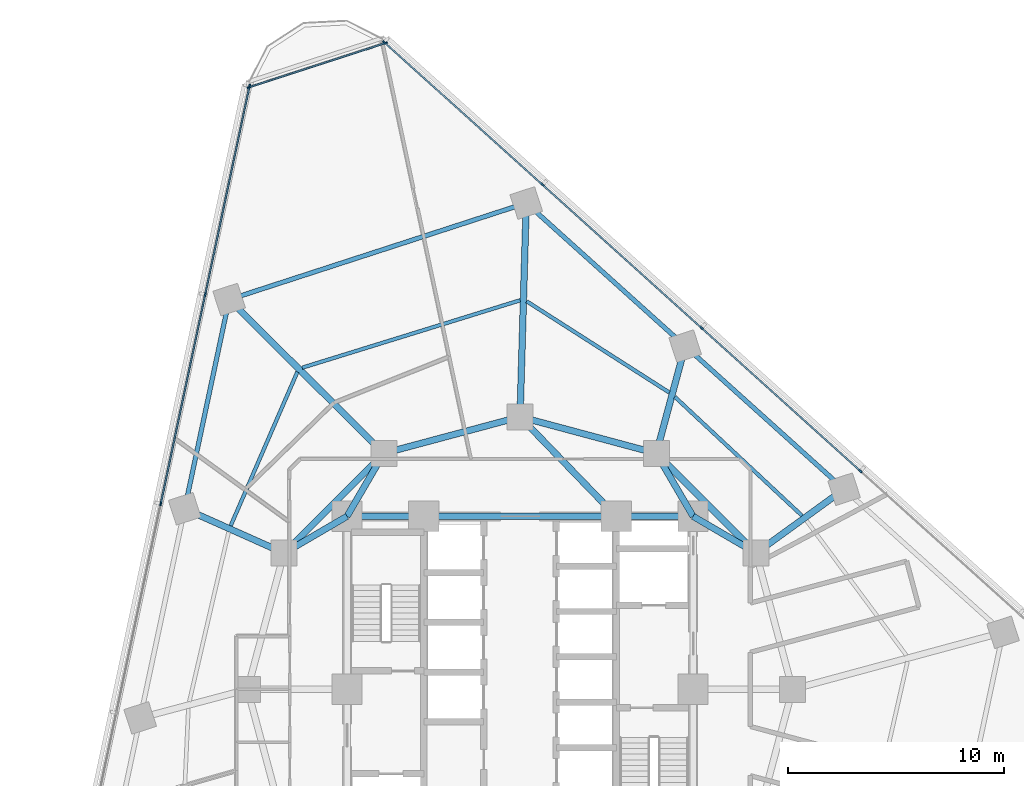
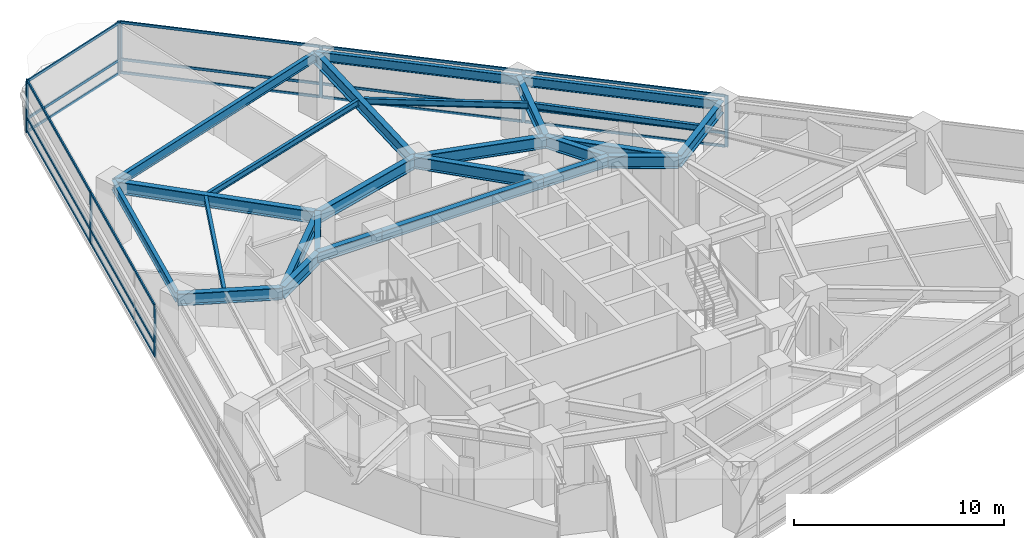
# One storey, part 5 of 13: 27 members, 25 beams, 3 elements without a shape of their own.
"""IFC4 building model written with IfcOpenShell, lengths in metres."""

from ifc_helpers import new_model, si_unit, direction, frame, origin, origin_2d, place, context, subcontext, project, spatial, rectangle, i_section, extrude, material, layer, layer_set, material_profile, profile_set, type_object, element, aggregate, save


model = new_model("IFC4")

# Units and contexts
model_context = context("Model", 3, precision=1e-05, world=origin(), true_north=direction((0.0, 1.0)))
body_context = subcontext(model_context, "Body", "Model", "MODEL_VIEW")
ifc_project = project(units=[si_unit("LENGTHUNIT", "METRE"), si_unit("AREAUNIT", "SQUARE_METRE"), si_unit("VOLUMEUNIT", "CUBIC_METRE"), si_unit("PLANEANGLEUNIT", "RADIAN"), si_unit("MASSUNIT", "GRAM", prefix="KILO")], contexts=[model_context])

# Site, building, storey
site_placement = place(None, origin())
site = spatial("IfcSite", under=ifc_project, at=site_placement, CompositionType="ELEMENT")
building_placement = place(site_placement, origin())
building = spatial("IfcBuilding", under=site, at=building_placement, Name="Terralouvre Media Tower", CompositionType="ELEMENT")
storey_placement = place(building_placement, frame((0.0, 0.0, 90.300048828125)))
storey = spatial("IfcBuildingStorey", under=building, at=storey_placement, Name="L22", CompositionType="ELEMENT", Elevation=90.300048828125)

# Beams
ifc_material_1 = material(Name="Structural steel S355J2", Category="steel")
ifc_material_profile_1 = material_profile(ifc_material_1, i_section(OverallWidth=0.169921875, OverallDepth=0.360107421875, WebThickness=0.008056640625, FlangeThickness=0.0126953125, at=origin_2d()), Name="IPE 360")
ifc_profile_set_1 = profile_set([ifc_material_profile_1], Name="Structural steel S355J2")
beam_type_1 = type_object("IfcBeamType", Name="Composite Floor Joist J-IPE360 (IPE 360)", PredefinedType="JOIST", material=ifc_profile_set_1)
beam_1_placement = place(storey_placement, frame((13.041259765625, 8.02685546875, 3.320068359375), z_axis=(-0.730741620607, 0.682654146631, 0.0), x_axis=(-0.682654146631, -0.730741620607, 0.0)))
element("IfcBeam", 1, at=beam_1_placement, inside=storey, type_object=beam_type_1, Name="L22 Framing Beam JT-L22-08", PredefinedType="JOIST", context=body_context, shape_type="SweptSolid", body=[
    extrude(i_section(OverallWidth=0.169921875, OverallDepth=0.360107421875, WebThickness=0.008056640625, FlangeThickness=0.0126953125, at=origin_2d()), origin(), (0.0, 0.0, 1.0), 8.05224609375),
])
beam_2_placement = place(storey_placement, frame((6.90380859375, 13.721923828125, 3.320068359375), z_axis=(-0.842395313358, 0.538860033805, 0.0), x_axis=(-0.538860033805, -0.842395313358, 0.0)))
element("IfcBeam", 2, at=beam_2_placement, inside=storey, type_object=beam_type_1, Name="L22 Framing Beam JT-L22-09", PredefinedType="JOIST", context=body_context, shape_type="SweptSolid", body=[
    extrude(i_section(OverallWidth=0.169921875, OverallDepth=0.360107421875, WebThickness=0.008056640625, FlangeThickness=0.0126953125, at=origin_2d()), origin(), (0.0, 0.0, 1.0), 7.8349609375),
])
beam_3_placement = place(storey_placement, frame((0.008544921875, 17.99072265625, 3.320068359375), z_axis=(-0.955322607301, -0.295565079095, 0.0), x_axis=(0.295565079095, -0.955322607301, 0.0)))
element("IfcBeam", 3, at=beam_3_placement, inside=storey, type_object=beam_type_1, Name="L22 Framing Beam JT-L22-10", PredefinedType="JOIST", context=body_context, shape_type="SweptSolid", body=[
    extrude(i_section(OverallWidth=0.169921875, OverallDepth=0.360107421875, WebThickness=0.008056640625, FlangeThickness=0.0126953125, at=origin_2d()), origin(), (0.0, 0.0, 1.0), 10.551513671875),
])
beam_4_placement = place(storey_placement, frame((-10.295166015625, 14.676513671875, 3.320068359375), z_axis=(-0.3977895236, -0.91747669993, 0.0), x_axis=(0.91747669993, -0.3977895236, 0.0)))
element("IfcBeam", 4, at=beam_4_placement, inside=storey, type_object=beam_type_1, Name="L22 Framing Beam JT-L22-11", PredefinedType="JOIST", context=body_context, shape_type="SweptSolid", body=[
    extrude(i_section(OverallWidth=0.169921875, OverallDepth=0.360107421875, WebThickness=0.008056640625, FlangeThickness=0.0126953125, at=origin_2d()), origin(), (0.0, 0.0, 1.0), 7.7509765625),
])

# Curtain wall, members
ifc_material_2 = material(Name="Low-iron laminated double glazing with solar-control coating", Category="glass")
ifc_layer_1 = layer(ifc_material_2, 0.1650390625, Name="Lower Media Tower Unitised Curtain Wall CW-02")
ifc_layer_set_1 = layer_set([ifc_layer_1], Name="Low-iron laminated double glazing with solar-control coating")
curtain_wall_type_1 = type_object("IfcCurtainWallType", Name="Lower Media Tower Unitised Curtain Wall CW-02", PredefinedType="NOTDEFINED", material=ifc_layer_set_1)
curtain_wall_1_placement = place(storey_placement, origin())
curtain_wall_1 = element("IfcCurtainWall", 5, at=curtain_wall_1_placement, inside=storey, type_object=curtain_wall_type_1, Name="L22 Facade Curtain Wall F1", PredefinedType="NOTDEFINED")
ifc_material_3 = material(Name="Anodised extruded aluminium 6063-T6", Category="aluminium")
ifc_material_profile_2 = material_profile(ifc_material_3, rectangle(XDim=0.074951171875, YDim=0.14990234375, at=origin_2d()), Name="ALU 75x150")
ifc_profile_set_2 = profile_set([ifc_material_profile_2], Name="Anodised extruded aluminium 6063-T6")
member_type_1 = type_object("IfcMemberType", Name="Curtain-Wall Horizontal Transom TR-150", PredefinedType="USERDEFINED", material=ifc_profile_set_2)
member_1_placement = place(storey_placement, frame((15.712158203125, 10.117431640625, 0.037353515625), z_axis=(-0.743145676677, 0.669129661005, 0.0), x_axis=(-0.669129661005, -0.743145676677, 0.0)))
member_1 = element("IfcMember", 6, at=member_1_placement, type_object=member_type_1, Name="CW-02 transom 3.1", ObjectType="TRANSOM", PredefinedType="USERDEFINED", context=body_context, shape_type="SweptSolid", body=[
    extrude(rectangle(XDim=0.074951171875, YDim=0.14990234375, at=origin_2d()), origin(), (0.0, 0.0, 1.0), 9.81298828125),
])
member_2_placement = place(storey_placement, frame((15.712158203125, 10.117431640625, 0.800048828125), z_axis=(-0.743145676677, 0.669129661005, 0.0), x_axis=(-0.669129661005, -0.743145676677, 0.0)))
member_2 = element("IfcMember", 7, at=member_2_placement, type_object=member_type_1, Name="CW-02 transom 3.2", ObjectType="TRANSOM", PredefinedType="USERDEFINED", context=body_context, shape_type="SweptSolid", body=[
    extrude(rectangle(XDim=0.074951171875, YDim=0.14990234375, at=origin_2d()), origin(), (0.0, 0.0, 1.0), 9.81298828125),
])
member_3_placement = place(storey_placement, frame((15.712158203125, 10.117431640625, 2.96240234375), z_axis=(-0.743145676677, 0.669129661005, 0.0), x_axis=(-0.669129661005, -0.743145676677, 0.0)))
member_3 = element("IfcMember", 8, at=member_3_placement, type_object=member_type_1, Name="CW-02 transom 3.3", ObjectType="TRANSOM", PredefinedType="USERDEFINED", context=body_context, shape_type="SweptSolid", body=[
    extrude(rectangle(XDim=0.074951171875, YDim=0.14990234375, at=origin_2d()), origin(), (0.0, 0.0, 1.0), 9.81298828125),
])
member_4_placement = place(storey_placement, frame((8.36376953125, 16.733642578125, 0.037353515625), z_axis=(-0.743145676677, 0.669129661005, 0.0), x_axis=(-0.669129661005, -0.743145676677, 0.0)))
member_4 = element("IfcMember", 9, at=member_4_placement, type_object=member_type_1, Name="CW-02 transom 4.1", ObjectType="TRANSOM", PredefinedType="USERDEFINED", context=body_context, shape_type="SweptSolid", body=[
    extrude(rectangle(XDim=0.074951171875, YDim=0.14990234375, at=origin_2d()), origin(), (0.0, 0.0, 1.0), 9.81298828125),
])
member_5_placement = place(storey_placement, frame((8.36376953125, 16.733642578125, 0.800048828125), z_axis=(-0.743145676677, 0.669129661005, 0.0), x_axis=(-0.669129661005, -0.743145676677, 0.0)))
member_5 = element("IfcMember", 10, at=member_5_placement, type_object=member_type_1, Name="CW-02 transom 4.2", ObjectType="TRANSOM", PredefinedType="USERDEFINED", context=body_context, shape_type="SweptSolid", body=[
    extrude(rectangle(XDim=0.074951171875, YDim=0.14990234375, at=origin_2d()), origin(), (0.0, 0.0, 1.0), 9.81298828125),
])
member_6_placement = place(storey_placement, frame((8.36376953125, 16.733642578125, 2.96240234375), z_axis=(-0.743145676677, 0.669129661005, 0.0), x_axis=(-0.669129661005, -0.743145676677, 0.0)))
member_6 = element("IfcMember", 11, at=member_6_placement, type_object=member_type_1, Name="CW-02 transom 4.3", ObjectType="TRANSOM", PredefinedType="USERDEFINED", context=body_context, shape_type="SweptSolid", body=[
    extrude(rectangle(XDim=0.074951171875, YDim=0.14990234375, at=origin_2d()), origin(), (0.0, 0.0, 1.0), 9.81298828125),
])
member_7_placement = place(storey_placement, frame((1.015625, 23.35009765625, 0.037353515625), z_axis=(-0.743150075485, 0.669124775588, 0.0), x_axis=(-0.669124775588, -0.743150075485, 0.0)))
member_7 = element("IfcMember", 12, at=member_7_placement, type_object=member_type_1, Name="CW-02 transom 5.1", ObjectType="TRANSOM", PredefinedType="USERDEFINED", context=body_context, shape_type="SweptSolid", body=[
    extrude(rectangle(XDim=0.074951171875, YDim=0.14990234375, at=origin_2d()), origin(), (0.0, 0.0, 1.0), 9.775390625),
])
member_8_placement = place(storey_placement, frame((1.015625, 23.35009765625, 0.800048828125), z_axis=(-0.743150075485, 0.669124775588, 0.0), x_axis=(-0.669124775588, -0.743150075485, 0.0)))
member_8 = element("IfcMember", 13, at=member_8_placement, type_object=member_type_1, Name="CW-02 transom 5.2", ObjectType="TRANSOM", PredefinedType="USERDEFINED", context=body_context, shape_type="SweptSolid", body=[
    extrude(rectangle(XDim=0.074951171875, YDim=0.14990234375, at=origin_2d()), origin(), (0.0, 0.0, 1.0), 9.775390625),
])
member_9_placement = place(storey_placement, frame((1.015625, 23.35009765625, 2.96240234375), z_axis=(-0.743150075485, 0.669124775588, 0.0), x_axis=(-0.669124775588, -0.743150075485, 0.0)))
member_9 = element("IfcMember", 14, at=member_9_placement, type_object=member_type_1, Name="CW-02 transom 5.3", ObjectType="TRANSOM", PredefinedType="USERDEFINED", context=body_context, shape_type="SweptSolid", body=[
    extrude(rectangle(XDim=0.074951171875, YDim=0.14990234375, at=origin_2d()), origin(), (0.0, 0.0, 1.0), 9.775390625),
])

curtain_wall_2_placement = place(storey_placement, origin())
curtain_wall_2 = element("IfcCurtainWall", 15, at=curtain_wall_2_placement, inside=storey, type_object=curtain_wall_type_1, Name="L22 Facade Curtain Wall F2", PredefinedType="NOTDEFINED")
member_10_placement = place(storey_placement, frame((-12.51416015625, 27.85546875, 0.037353515625), z_axis=(-0.207917001862, -0.978146471821, 0.0), x_axis=(0.978146471821, -0.207917001862, 0.0)))
member_10 = element("IfcMember", 16, at=member_10_placement, type_object=member_type_1, Name="CW-02 transom 1.1", ObjectType="TRANSOM", PredefinedType="USERDEFINED", context=body_context, shape_type="SweptSolid", body=[
    extrude(rectangle(XDim=0.074951171875, YDim=0.14990234375, at=origin_2d()), origin(), (0.0, 0.0, 1.0), 9.775390625),
])
member_11_placement = place(storey_placement, frame((-12.51416015625, 27.85546875, 0.800048828125), z_axis=(-0.207917001862, -0.978146471821, 0.0), x_axis=(0.978146471821, -0.207917001862, 0.0)))
member_11 = element("IfcMember", 17, at=member_11_placement, type_object=member_type_1, Name="CW-02 transom 1.2", ObjectType="TRANSOM", PredefinedType="USERDEFINED", context=body_context, shape_type="SweptSolid", body=[
    extrude(rectangle(XDim=0.074951171875, YDim=0.14990234375, at=origin_2d()), origin(), (0.0, 0.0, 1.0), 9.775390625),
])
member_12_placement = place(storey_placement, frame((-12.51416015625, 27.85546875, 2.96240234375), z_axis=(-0.207917001862, -0.978146471821, 0.0), x_axis=(0.978146471821, -0.207917001862, 0.0)))
member_12 = element("IfcMember", 18, at=member_12_placement, type_object=member_type_1, Name="CW-02 transom 1.3", ObjectType="TRANSOM", PredefinedType="USERDEFINED", context=body_context, shape_type="SweptSolid", body=[
    extrude(rectangle(XDim=0.074951171875, YDim=0.14990234375, at=origin_2d()), origin(), (0.0, 0.0, 1.0), 9.775390625),
])
member_13_placement = place(storey_placement, frame((-14.56201171875, 18.22021484375, 0.037353515625), z_axis=(-0.207919755159, -0.97814588657, 0.0), x_axis=(0.97814588657, -0.207919755159, 0.0)))
member_13 = element("IfcMember", 19, at=member_13_placement, type_object=member_type_1, Name="CW-02 transom 2.1", ObjectType="TRANSOM", PredefinedType="USERDEFINED", context=body_context, shape_type="SweptSolid", body=[
    extrude(rectangle(XDim=0.074951171875, YDim=0.14990234375, at=origin_2d()), origin(), (0.0, 0.0, 1.0), 9.812744140625),
])
member_14_placement = place(storey_placement, frame((-14.56201171875, 18.22021484375, 0.800048828125), z_axis=(-0.207919755159, -0.97814588657, 0.0), x_axis=(0.97814588657, -0.207919755159, 0.0)))
member_14 = element("IfcMember", 20, at=member_14_placement, type_object=member_type_1, Name="CW-02 transom 2.2", ObjectType="TRANSOM", PredefinedType="USERDEFINED", context=body_context, shape_type="SweptSolid", body=[
    extrude(rectangle(XDim=0.074951171875, YDim=0.14990234375, at=origin_2d()), origin(), (0.0, 0.0, 1.0), 9.812744140625),
])
member_15_placement = place(storey_placement, frame((-14.56201171875, 18.22021484375, 2.96240234375), z_axis=(-0.207919755159, -0.97814588657, 0.0), x_axis=(0.97814588657, -0.207919755159, 0.0)))
member_15 = element("IfcMember", 21, at=member_15_placement, type_object=member_type_1, Name="CW-02 transom 2.3", ObjectType="TRANSOM", PredefinedType="USERDEFINED", context=body_context, shape_type="SweptSolid", body=[
    extrude(rectangle(XDim=0.074951171875, YDim=0.14990234375, at=origin_2d()), origin(), (0.0, 0.0, 1.0), 9.812744140625),
])

ifc_material_4 = material(Name="Low-iron laminated double glazing with solar-control coating", Category="glass")
ifc_layer_2 = layer(ifc_material_4, 0.1650390625, Name="Rounded Wind-Corner Curved Glazing CW-04")
ifc_layer_set_2 = layer_set([ifc_layer_2], Name="Low-iron laminated double glazing with solar-control coating")
curtain_wall_type_2 = type_object("IfcCurtainWallType", Name="Rounded Wind-Corner Curved Glazing CW-04", PredefinedType="NOTDEFINED", material=ifc_layer_set_2)
curtain_wall_3_placement = place(storey_placement, origin())
curtain_wall_3 = element("IfcCurtainWall", 22, at=curtain_wall_3_placement, inside=storey, type_object=curtain_wall_type_2, Name="L22 Rounded Wind-Corner Curtain Wall C2", PredefinedType="NOTDEFINED")
member_16_placement = place(storey_placement, frame((-6.25244140625, 29.874267578125, 0.037353515625), z_axis=(-0.951049086089, -0.309039861262, 0.0), x_axis=(0.309039861262, -0.951049086089, 0.0)))
member_16 = element("IfcMember", 23, at=member_16_placement, type_object=member_type_1, Name="CW-04 transom 1.1", ObjectType="TRANSOM", PredefinedType="USERDEFINED", context=body_context, shape_type="SweptSolid", body=[
    extrude(rectangle(XDim=0.074951171875, YDim=0.14990234375, at=origin_2d()), origin(), (0.0, 0.0, 1.0), 6.5703125),
])
member_17_placement = place(storey_placement, frame((-6.25244140625, 29.874267578125, 0.800048828125), z_axis=(-0.951049086089, -0.309039861262, 0.0), x_axis=(0.309039861262, -0.951049086089, 0.0)))
member_17 = element("IfcMember", 24, at=member_17_placement, type_object=member_type_1, Name="CW-04 transom 1.2", ObjectType="TRANSOM", PredefinedType="USERDEFINED", context=body_context, shape_type="SweptSolid", body=[
    extrude(rectangle(XDim=0.074951171875, YDim=0.14990234375, at=origin_2d()), origin(), (0.0, 0.0, 1.0), 6.5703125),
])
member_18_placement = place(storey_placement, frame((-6.25244140625, 29.874267578125, 2.96240234375), z_axis=(-0.951049086089, -0.309039861262, 0.0), x_axis=(0.309039861262, -0.951049086089, 0.0)))
member_18 = element("IfcMember", 25, at=member_18_placement, type_object=member_type_1, Name="CW-04 transom 1.3", ObjectType="TRANSOM", PredefinedType="USERDEFINED", context=body_context, shape_type="SweptSolid", body=[
    extrude(rectangle(XDim=0.074951171875, YDim=0.14990234375, at=origin_2d()), origin(), (0.0, 0.0, 1.0), 6.5703125),
])

# Member
ifc_material_5 = material(Name="Anodised extruded aluminium 6063-T6", Category="aluminium")
ifc_material_profile_3 = material_profile(ifc_material_5, rectangle(XDim=0.074951171875, YDim=0.179931640625, at=origin_2d()), Name="ALU 75x180")
ifc_profile_set_3 = profile_set([ifc_material_profile_3], Name="Anodised extruded aluminium 6063-T6")
member_type_2 = type_object("IfcMemberType", Name="Curtain-Wall Vertical Mullion ML-180", PredefinedType="MULLION", material=ifc_profile_set_3)
member_19_placement = place(storey_placement, frame((15.739990234375, 10.09228515625, 0.0), z_axis=(0.0, 0.0, 1.0), x_axis=(-0.669130639602, -0.743144795545, 0.0)))
member_19 = element("IfcMember", 26, at=member_19_placement, type_object=member_type_2, Name="CW-02 mullion 3", PredefinedType="MULLION", context=body_context, shape_type="SweptSolid", body=[
    extrude(rectangle(XDim=0.074951171875, YDim=0.179931640625, at=origin_2d()), origin(), (0.0, 0.0, 1.0), 3.0),
])

member_20_placement = place(storey_placement, frame((8.3916015625, 16.708740234375, 0.0), z_axis=(0.0, 0.0, 1.0), x_axis=(-0.669130639602, -0.743144795545, 0.0)))
member_20 = element("IfcMember", 27, at=member_20_placement, type_object=member_type_2, Name="CW-02 mullion 4", PredefinedType="MULLION", context=body_context, shape_type="SweptSolid", body=[
    extrude(rectangle(XDim=0.074951171875, YDim=0.179931640625, at=origin_2d()), origin(), (0.0, 0.0, 1.0), 3.0),
])

member_21_placement = place(storey_placement, frame((1.04345703125, 23.324951171875, 0.0), z_axis=(0.0, 0.0, 1.0), x_axis=(-0.669130639602, -0.743144795545, 0.0)))
member_21 = element("IfcMember", 28, at=member_21_placement, type_object=member_type_2, Name="CW-02 mullion 5", PredefinedType="MULLION", context=body_context, shape_type="SweptSolid", body=[
    extrude(rectangle(XDim=0.074951171875, YDim=0.179931640625, at=origin_2d()), origin(), (0.0, 0.0, 1.0), 3.0),
])

member_22_placement = place(storey_placement, frame((-6.27685546875, 29.916259765625, 0.0), z_axis=(0.0, 0.0, 1.0), x_axis=(-0.669130639602, -0.743144795545, 0.0)))
member_22 = element("IfcMember", 29, at=member_22_placement, type_object=member_type_2, Name="CW-02 mullion 6", PredefinedType="MULLION", context=body_context, shape_type="SweptSolid", body=[
    extrude(rectangle(XDim=0.074951171875, YDim=0.179931640625, at=origin_2d()), origin(), (0.0, 0.0, 1.0), 3.0),
])

aggregate(curtain_wall_1, [member_19, member_20, member_21, member_22, member_1, member_2, member_3, member_4, member_5, member_6, member_7, member_8, member_9])

member_23_placement = place(storey_placement, frame((-12.50634765625, 27.89208984375, 0.0), z_axis=(0.0, 0.0, 1.0), x_axis=(0.978147610709, -0.207911643887, 0.0)))
member_23 = element("IfcMember", 30, at=member_23_placement, type_object=member_type_2, Name="CW-02 mullion 1", PredefinedType="MULLION", context=body_context, shape_type="SweptSolid", body=[
    extrude(rectangle(XDim=0.074951171875, YDim=0.179931640625, at=origin_2d()), origin(), (0.0, 0.0, 1.0), 3.0),
])

member_24_placement = place(storey_placement, frame((-14.55419921875, 18.257080078125, 0.0), z_axis=(0.0, 0.0, 1.0), x_axis=(0.978147610709, -0.207911643887, 0.0)))
member_24 = element("IfcMember", 31, at=member_24_placement, type_object=member_type_2, Name="CW-02 mullion 2", PredefinedType="MULLION", context=body_context, shape_type="SweptSolid", body=[
    extrude(rectangle(XDim=0.074951171875, YDim=0.179931640625, at=origin_2d()), origin(), (0.0, 0.0, 1.0), 3.0),
])

member_25_placement = place(storey_placement, frame((-16.610107421875, 8.5849609375, 0.0), z_axis=(0.0, 0.0, 1.0), x_axis=(0.978147610709, -0.207911643887, 0.0)))
member_25 = element("IfcMember", 32, at=member_25_placement, type_object=member_type_2, Name="CW-02 mullion 3", PredefinedType="MULLION", context=body_context, shape_type="SweptSolid", body=[
    extrude(rectangle(XDim=0.074951171875, YDim=0.179931640625, at=origin_2d()), origin(), (0.0, 0.0, 1.0), 3.0),
])

aggregate(curtain_wall_2, [member_23, member_24, member_25, member_10, member_11, member_12, member_13, member_14, member_15])

member_26_placement = place(storey_placement, frame((-6.216796875, 29.8857421875, 0.0), z_axis=(0.0, 0.0, 1.0), x_axis=(0.309017701894, -0.951056286408, 0.0)))
member_26 = element("IfcMember", 33, at=member_26_placement, type_object=member_type_2, Name="CW-04 mullion 1", PredefinedType="MULLION", context=body_context, shape_type="SweptSolid", body=[
    extrude(rectangle(XDim=0.074951171875, YDim=0.179931640625, at=origin_2d()), origin(), (0.0, 0.0, 1.0), 3.0),
])

member_27_placement = place(storey_placement, frame((-12.536865234375, 27.832275390625, 0.0), z_axis=(0.0, 0.0, 1.0), x_axis=(0.309017701894, -0.951056286408, 0.0)))
member_27 = element("IfcMember", 34, at=member_27_placement, type_object=member_type_2, Name="CW-04 mullion 2", PredefinedType="MULLION", context=body_context, shape_type="SweptSolid", body=[
    extrude(rectangle(XDim=0.074951171875, YDim=0.179931640625, at=origin_2d()), origin(), (0.0, 0.0, 1.0), 3.0),
])

aggregate(curtain_wall_3, [member_26, member_27, member_16, member_17, member_18])

# Beams
ifc_material_6 = material(Name="Structural steel S355J2", Category="steel")
ifc_material_profile_4 = material_profile(ifc_material_6, i_section(OverallWidth=0.2099609375, OverallDepth=0.550048828125, WebThickness=0.010986328125, FlangeThickness=0.01708984375, at=origin_2d()), Name="IPE 550")
ifc_profile_set_4 = profile_set([ifc_material_profile_4], Name="Structural steel S355J2")
beam_type_2 = type_object("IfcBeamType", Name="Perimeter Spandrel Beam SPB-550 (IPE 550)", PredefinedType="SPANDREL", material=ifc_profile_set_4)
beam_5_placement = place(storey_placement, frame((14.98388671875, 9.25244140625, 3.224853515625), z_axis=(-0.743148033922, 0.669127043002, 0.0), x_axis=(-0.669127043002, -0.743148033922, 0.0)))
element("IfcBeam", 35, at=beam_5_placement, inside=storey, type_object=beam_type_2, Name="L22 Framing Beam BM-L22-PR08", PredefinedType="SPANDREL", context=body_context, shape_type="SweptSolid", body=[
    extrude(i_section(OverallWidth=0.2099609375, OverallDepth=0.550048828125, WebThickness=0.010986328125, FlangeThickness=0.01708984375, at=origin_2d()), origin(), (0.0, 0.0, 1.0), 9.88818359375),
])
beam_6_placement = place(storey_placement, frame((7.635498046875, 15.868896484375, 3.224853515625), z_axis=(-0.743136979084, 0.669139320558, 0.0), x_axis=(-0.669139320558, -0.743136979084, 0.0)))
element("IfcBeam", 36, at=beam_6_placement, inside=storey, type_object=beam_type_2, Name="L22 Framing Beam BM-L22-PR09", PredefinedType="SPANDREL", context=body_context, shape_type="SweptSolid", body=[
    extrude(i_section(OverallWidth=0.2099609375, OverallDepth=0.550048828125, WebThickness=0.010986328125, FlangeThickness=0.01708984375, at=origin_2d()), origin(), (0.0, 0.0, 1.0), 9.887939453125),
])
beam_7_placement = place(storey_placement, frame((0.287353515625, 22.4853515625, 3.224853515625), z_axis=(-0.951052948313, -0.309027975278, 0.0), x_axis=(0.309027975278, -0.951052948313, 0.0)))
element("IfcBeam", 37, at=beam_7_placement, inside=storey, type_object=beam_type_2, Name="L22 Framing Beam BM-L22-PR10", PredefinedType="SPANDREL", context=body_context, shape_type="SweptSolid", body=[
    extrude(i_section(OverallWidth=0.2099609375, OverallDepth=0.550048828125, WebThickness=0.010986328125, FlangeThickness=0.01708984375, at=origin_2d()), origin(), (0.0, 0.0, 1.0), 14.443359375),
])
beam_8_placement = place(storey_placement, frame((-13.448974609375, 18.02197265625, 3.224853515625), z_axis=(-0.207920177572, -0.97814579678, 0.0), x_axis=(0.97814579678, -0.207920177572, 0.0)))
element("IfcBeam", 38, at=beam_8_placement, inside=storey, type_object=beam_type_2, Name="L22 Framing Beam BM-L22-PR11", PredefinedType="SPANDREL", context=body_context, shape_type="SweptSolid", body=[
    extrude(i_section(OverallWidth=0.2099609375, OverallDepth=0.550048828125, WebThickness=0.010986328125, FlangeThickness=0.01708984375, at=origin_2d()), origin(), (0.0, 0.0, 1.0), 9.887939453125),
])
ifc_material_7 = material(Name="Structural steel S460M", Category="steel")
ifc_material_profile_5 = material_profile(ifc_material_7, i_section(OverallWidth=0.300048828125, OverallDepth=0.60009765625, WebThickness=0.015380859375, FlangeThickness=0.030029296875, at=origin_2d()), Name="HEB 600")
ifc_profile_set_5 = profile_set([ifc_material_profile_5], Name="Structural steel S460M")
beam_type_3 = type_object("IfcBeamType", Name="Primary Floor Girder B-HEB600 (HEB 600)", PredefinedType="BEAM", material=ifc_profile_set_5)
beam_9_placement = place(storey_placement, frame((8.0, 8.0, 3.199951171875), z_axis=(-1.0, 0.0, 0.0), x_axis=(0.0, -1.0, 0.0)))
element("IfcBeam", 39, at=beam_9_placement, inside=storey, type_object=beam_type_3, Name="L22 Framing Beam BM-L22-CPR06", PredefinedType="BEAM", context=body_context, shape_type="SweptSolid", body=[
    extrude(i_section(OverallWidth=0.300048828125, OverallDepth=0.60009765625, WebThickness=0.015380859375, FlangeThickness=0.030029296875, at=origin_2d()), origin(), (0.0, 0.0, 1.0), 3.550048828125),
])
beam_10_placement = place(storey_placement, frame((4.449951171875, 8.0, 3.199951171875), z_axis=(-1.0, 0.0, 0.0), x_axis=(0.0, -1.0, 0.0)))
element("IfcBeam", 40, at=beam_10_placement, inside=storey, type_object=beam_type_3, Name="L22 Framing Beam BM-L22-CPR07", PredefinedType="BEAM", context=body_context, shape_type="SweptSolid", body=[
    extrude(i_section(OverallWidth=0.300048828125, OverallDepth=0.60009765625, WebThickness=0.015380859375, FlangeThickness=0.030029296875, at=origin_2d()), origin(), (0.0, 0.0, 1.0), 8.89990234375),
])
beam_11_placement = place(storey_placement, frame((-4.449951171875, 8.0, 3.199951171875), z_axis=(-1.0, 0.0, 0.0), x_axis=(0.0, -1.0, 0.0)))
element("IfcBeam", 41, at=beam_11_placement, inside=storey, type_object=beam_type_3, Name="L22 Framing Beam BM-L22-CPR08", PredefinedType="BEAM", context=body_context, shape_type="SweptSolid", body=[
    extrude(i_section(OverallWidth=0.300048828125, OverallDepth=0.60009765625, WebThickness=0.015380859375, FlangeThickness=0.030029296875, at=origin_2d()), origin(), (0.0, 0.0, 1.0), 3.550048828125),
])
ifc_material_8 = material(Name="Structural steel S460M", Category="steel")
ifc_material_profile_6 = material_profile(ifc_material_8, i_section(OverallWidth=0.300048828125, OverallDepth=0.699951171875, WebThickness=0.01708984375, FlangeThickness=0.031982421875, at=origin_2d()), Name="HEB 700")
ifc_profile_set_6 = profile_set([ifc_material_profile_6], Name="Structural steel S460M")
beam_type_4 = type_object("IfcBeamType", Name="Primary Floor Girder B-HEB700 (HEB 700)", PredefinedType="BEAM", material=ifc_profile_set_6)
beam_12_placement = place(storey_placement, frame((10.911865234375, 6.300048828125, 3.14990234375), z_axis=(-0.707106781187, 0.707106781187, 0.0), x_axis=(-0.707106781187, -0.707106781187, 0.0)))
element("IfcBeam", 42, at=beam_12_placement, inside=storey, type_object=beam_type_4, Name="L22 Framing Beam BM-L22-MR07", PredefinedType="BEAM", context=body_context, shape_type="SweptSolid", body=[
    extrude(i_section(OverallWidth=0.300048828125, OverallDepth=0.699951171875, WebThickness=0.01708984375, FlangeThickness=0.031982421875, at=origin_2d()), origin(), (0.0, 0.0, 1.0), 6.52197265625),
])
for number, where, z_axis, x_axis, name in (
    (43, (6.300048828125, 10.911865234375, 3.14990234375), (-0.965920481897, 0.258838989821, 0.0), (-0.258838989821, -0.965920481897, 0.0), "L22 Framing Beam BM-L22-MR08"),
    (44, (0.0, 12.60009765625, 3.14990234375), (-0.965920481897, -0.258838989821, 0.0), (0.258838989821, -0.965920481897, 0.0), "L22 Framing Beam BM-L22-MR09"),
):
    element("IfcBeam", number, at=place(storey_placement, frame(where, z_axis=z_axis, x_axis=x_axis)), inside=storey, type_object=beam_type_4, Name=name, PredefinedType="BEAM", context=body_context, shape_type="SweptSolid", body=[
        extrude(i_section(OverallWidth=0.300048828125, OverallDepth=0.699951171875, WebThickness=0.01708984375, FlangeThickness=0.031982421875, at=origin_2d()), origin(), (0.0, 0.0, 1.0), 6.522216796875),
    ])
beam_13_placement = place(storey_placement, frame((-6.300048828125, 10.911865234375, 3.14990234375), z_axis=(-0.707106781187, -0.707106781187, 0.0), x_axis=(0.707106781187, -0.707106781187, 0.0)))
element("IfcBeam", 45, at=beam_13_placement, inside=storey, type_object=beam_type_4, Name="L22 Framing Beam BM-L22-MR10", PredefinedType="BEAM", context=body_context, shape_type="SweptSolid", body=[
    extrude(i_section(OverallWidth=0.300048828125, OverallDepth=0.699951171875, WebThickness=0.01708984375, FlangeThickness=0.031982421875, at=origin_2d()), origin(), (0.0, 0.0, 1.0), 6.52197265625),
])
for number, where, z_axis, x_axis, name in (
    (46, (8.0, 8.0, 3.14990234375), (0.863602894532, -0.504172629717, 0.0), (0.504172629717, 0.863602894532, 0.0), "L22 Framing Beam BM-L22-CM07"),
    (47, (8.0, 8.0, 3.14990234375), (-0.504172629717, 0.863602894532, 0.0), (-0.863602894532, -0.504172629717, 0.0), "L22 Framing Beam BM-L22-CM08"),
):
    element("IfcBeam", number, at=place(storey_placement, frame(where, z_axis=z_axis, x_axis=x_axis)), inside=storey, type_object=beam_type_4, Name=name, PredefinedType="BEAM", context=body_context, shape_type="SweptSolid", body=[
        extrude(i_section(OverallWidth=0.300048828125, OverallDepth=0.699951171875, WebThickness=0.01708984375, FlangeThickness=0.031982421875, at=origin_2d()), origin(), (0.0, 0.0, 1.0), 3.371826171875),
    ])
beam_14_placement = place(storey_placement, frame((4.449951171875, 8.0, 3.14990234375), z_axis=(-0.695279715726, 0.718739255155, 0.0), x_axis=(-0.718739255155, -0.695279715726, 0.0)))
element("IfcBeam", 48, at=beam_14_placement, inside=storey, type_object=beam_type_4, Name="L22 Framing Beam BM-L22-CM09", PredefinedType="BEAM", context=body_context, shape_type="SweptSolid", body=[
    extrude(i_section(OverallWidth=0.300048828125, OverallDepth=0.699951171875, WebThickness=0.01708984375, FlangeThickness=0.031982421875, at=origin_2d()), origin(), (0.0, 0.0, 1.0), 6.400146484375),
])
for number, where, z_axis, x_axis, name in (
    (49, (-8.0, 8.0, 3.14990234375), (0.504172629717, 0.863602894532, 0.0), (-0.863602894532, 0.504172629717, 0.0), "L22 Framing Beam BM-L22-CM10"),
    (50, (-8.0, 8.0, 3.14990234375), (-0.863602894532, -0.504172629717, 0.0), (0.504172629717, -0.863602894532, 0.0), "L22 Framing Beam BM-L22-CM11"),
):
    element("IfcBeam", number, at=place(storey_placement, frame(where, z_axis=z_axis, x_axis=x_axis)), inside=storey, type_object=beam_type_4, Name=name, PredefinedType="BEAM", context=body_context, shape_type="SweptSolid", body=[
        extrude(i_section(OverallWidth=0.300048828125, OverallDepth=0.699951171875, WebThickness=0.01708984375, FlangeThickness=0.031982421875, at=origin_2d()), origin(), (0.0, 0.0, 1.0), 3.371826171875),
    ])
beam_15_placement = place(storey_placement, frame((10.911865234375, 6.300048828125, 3.14990234375), z_axis=(0.809593719636, 0.586990638022, 0.0), x_axis=(-0.586990638022, 0.809593719636, 0.0)))
element("IfcBeam", 51, at=beam_15_placement, inside=storey, type_object=beam_type_4, Name="L22 Framing Beam BM-L22-RD08", PredefinedType="BEAM", context=body_context, shape_type="SweptSolid", body=[
    extrude(i_section(OverallWidth=0.300048828125, OverallDepth=0.699951171875, WebThickness=0.01708984375, FlangeThickness=0.031982421875, at=origin_2d()), origin(), (0.0, 0.0, 1.0), 5.02978515625),
])
beam_16_placement = place(storey_placement, frame((6.300048828125, 10.911865234375, 3.14990234375), z_axis=(0.260130371447, 0.96557350308, 0.0), x_axis=(-0.96557350308, 0.260130371447, 0.0)))
element("IfcBeam", 52, at=beam_16_placement, inside=storey, type_object=beam_type_4, Name="L22 Framing Beam BM-L22-RD09", PredefinedType="BEAM", context=body_context, shape_type="SweptSolid", body=[
    extrude(i_section(OverallWidth=0.300048828125, OverallDepth=0.699951171875, WebThickness=0.01708984375, FlangeThickness=0.031982421875, at=origin_2d()), origin(), (0.0, 0.0, 1.0), 5.1337890625),
])
beam_17_placement = place(storey_placement, frame((0.0, 12.60009765625, 3.14990234375), z_axis=(0.029056632049, 0.999577766927, 0.0), x_axis=(-0.999577766927, 0.029056632049, 0.0)))
element("IfcBeam", 53, at=beam_17_placement, inside=storey, type_object=beam_type_4, Name="L22 Framing Beam BM-L22-RD10", PredefinedType="BEAM", context=body_context, shape_type="SweptSolid", body=[
    extrude(i_section(OverallWidth=0.300048828125, OverallDepth=0.699951171875, WebThickness=0.01708984375, FlangeThickness=0.031982421875, at=origin_2d()), origin(), (0.0, 0.0, 1.0), 9.889404296875),
])
beam_18_placement = place(storey_placement, frame((-6.300048828125, 10.911865234375, 3.14990234375), z_axis=(-0.709029159826, 0.705179161998, 0.0), x_axis=(-0.705179161998, -0.709029159826, 0.0)))
element("IfcBeam", 54, at=beam_18_placement, inside=storey, type_object=beam_type_4, Name="L22 Framing Beam BM-L22-RD11", PredefinedType="BEAM", context=body_context, shape_type="SweptSolid", body=[
    extrude(i_section(OverallWidth=0.300048828125, OverallDepth=0.699951171875, WebThickness=0.01708984375, FlangeThickness=0.031982421875, at=origin_2d()), origin(), (0.0, 0.0, 1.0), 10.082763671875),
])
beam_19_placement = place(storey_placement, frame((-10.911865234375, 6.300048828125, 3.14990234375), z_axis=(-0.913167886247, 0.407583625196, 0.0), x_axis=(-0.407583625196, -0.913167886247, 0.0)))
element("IfcBeam", 55, at=beam_19_placement, inside=storey, type_object=beam_type_4, Name="L22 Framing Beam BM-L22-RD12", PredefinedType="BEAM", context=body_context, shape_type="SweptSolid", body=[
    extrude(i_section(OverallWidth=0.300048828125, OverallDepth=0.699951171875, WebThickness=0.01708984375, FlangeThickness=0.031982421875, at=origin_2d()), origin(), (0.0, 0.0, 1.0), 5.02978515625),
])

save(model, "model.ifc")
